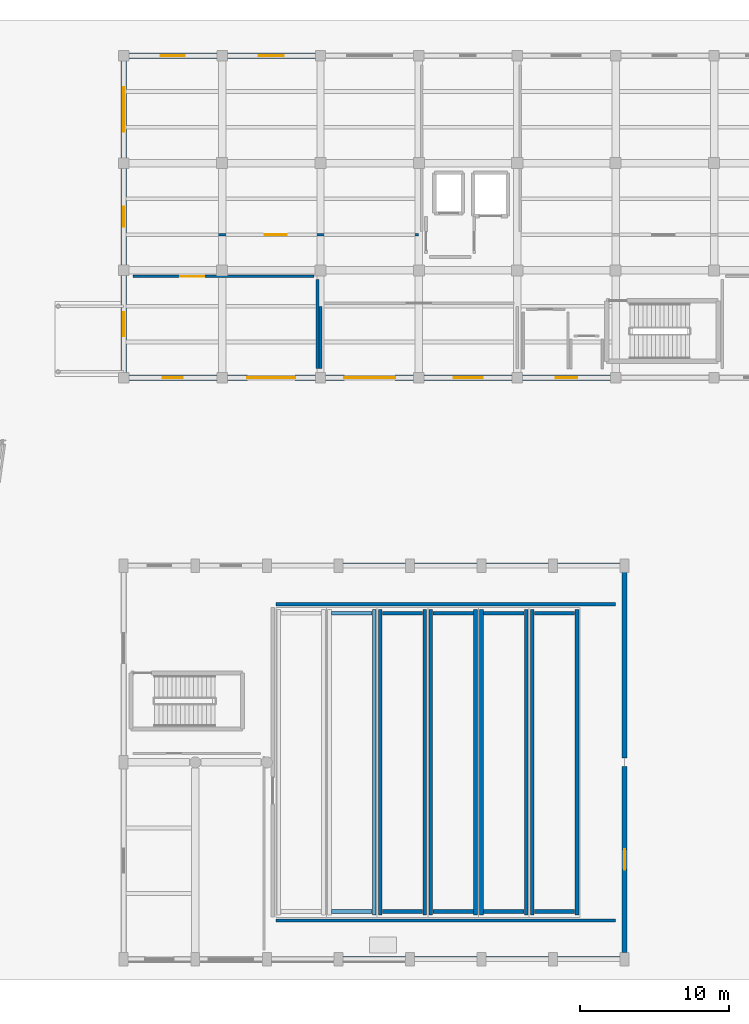
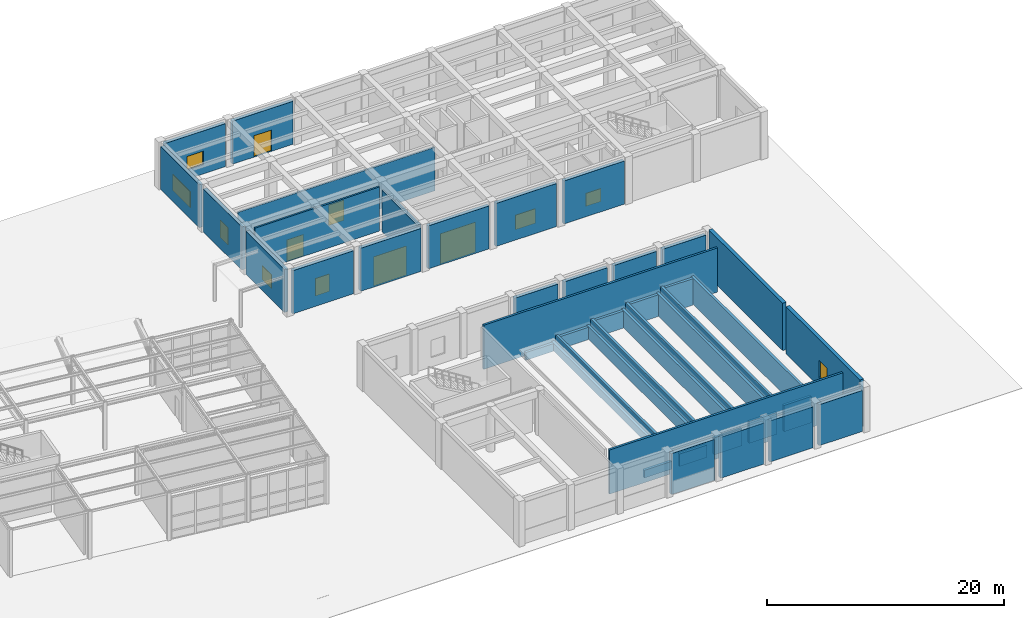
# One storey, part 47 of 57: 45 walls, 8 windows, 5 doors, 13 openings.
"""IFC4 building model written with IfcOpenShell, lengths in metres."""

from ifc_helpers import new_model, si_unit, direction, frame, frame_2d, origin, place, context, subcontext, project, spatial, rectangle, extrude, material, layer, layer_set, type_object, element, fill, save


model = new_model("IFC4")

# Units and contexts
model_context = context("Model", 3, precision=1e-05, world=origin(), true_north=direction((0.0, 1.0)))
body_context = subcontext(model_context, "Body", "Model", "MODEL_VIEW")
ifc_project = project(units=[si_unit("LENGTHUNIT", "METRE"), si_unit("AREAUNIT", "SQUARE_METRE"), si_unit("VOLUMEUNIT", "CUBIC_METRE"), si_unit("PLANEANGLEUNIT", "RADIAN"), si_unit("MASSUNIT", "GRAM", prefix="KILO")], contexts=[model_context])

# Site, building, storey
site_placement = place(None, origin())
site = spatial("IfcSite", under=ifc_project, at=site_placement, CompositionType="ELEMENT")
building_placement = place(site_placement, origin())
building = spatial("IfcBuilding", under=site, at=building_placement, Name="Kharisveld Research Institute", CompositionType="ELEMENT")
storey_placement = place(building_placement, origin())
storey = spatial("IfcBuildingStorey", under=building, at=storey_placement, Name="L00", CompositionType="ELEMENT", Elevation=0.0)

# Walls
ifc_material_1 = material(Name="Acoustic Concrete Blockwork", Category="masonry")
ifc_layer_1 = layer(ifc_material_1, 0.215087890625)
ifc_layer_set_1 = layer_set([ifc_layer_1], Name="WL_AUD_215")
wall_type_1 = type_object("IfcWallType", Name="WL_AUD_215", PredefinedType="SOLIDWALL", material=ifc_layer_set_1)
for number, where, z_axis, x_axis, name in (
    (1, (124.820068359375, 2.800048828125, 0.0), (0.0, 0.0, 1.0), (1.0, 0.0, 0.0), "WL:RM:V5:L00:AUD:S"),
    (2, (147.580078125, 24.0, 0.0), (0.0, 0.0, 1.0), (-1.0, 0.0, 0.0), "WL:RM:V5:L00:AUD:N"),
):
    element("IfcWall", number, at=place(storey_placement, frame(where, z_axis=z_axis, x_axis=x_axis)), inside=storey, type_object=wall_type_1, Name=name, PredefinedType="SOLIDWALL", context=body_context, shape_type="SweptSolid", body=[
        extrude(rectangle(XDim=22.760009765625, YDim=0.215087890625, at=frame_2d((11.3798828125, 0.0))), origin(), (0.0, 0.0, 1.0), 4.550048828125),
    ])

# Wall, opening, window
ifc_material_2 = material(Name="Concrete C35/45", Category="concrete")
ifc_layer_2 = layer(ifc_material_2, 0.340087890625)
ifc_layer_set_2 = layer_set([ifc_layer_2], Name="WL_EXT_340")
wall_type_2 = type_object("IfcWallType", Name="WL_EXT_340", PredefinedType="SOLIDWALL", material=ifc_layer_set_2)
wall_1_placement = place(storey_placement, frame((114.60009765625, 39.544921875, 0.0), z_axis=(0.0, 0.0, 1.0), x_axis=(0.0, 1.0, 0.0)))
wall_1 = element("IfcWall", 3, at=wall_1_placement, inside=storey, type_object=wall_type_2, Name="WL:V2:L00:W0", PredefinedType="SOLIDWALL", context=body_context, shape_type="SweptSolid", body=[
    extrude(rectangle(XDim=6.510009765625, YDim=0.340087890625, at=frame_2d((3.2548828125, 0.0))), origin(), (0.0, 0.0, 1.0), 4.43505859375),
])
opening_1_placement = place(wall_1_placement, frame((2.455078125, 0.0, 0.949951171875)))
opening_1 = element("IfcOpeningElement", 4, at=opening_1_placement, cuts=wall_1, Name="Opening WN-08", PredefinedType="OPENING", context=body_context, shape_type="SweptSolid", body=[
    extrude(rectangle(XDim=1.60009765625, YDim=1.39990234375, at=frame_2d((0.800048828125, 0.699951171875))), frame((0.0, 0.169921875, 0.0), z_axis=(0.0, -1.0, 0.0), x_axis=(1.0, 0.0, 0.0)), (0.0, 0.0, 1.0), 0.340087890625),
])
ifc_material_3 = material(Name="Low-E Double Glazing", Category="glass")
window_type_1 = type_object("IfcWindowType", Name="WN_08", PartitioningType="DOUBLE_PANEL_VERTICAL", PredefinedType="WINDOW", material=ifc_material_3)
window_1_placement = place(opening_1_placement, origin())
window_1 = element("IfcWindow", 5, at=window_1_placement, inside=storey, type_object=window_type_1, Name="WN:V2:L00:W0", OverallHeight=1.39990234375, OverallWidth=1.60009765625, PartitioningType="SINGLE_PANEL", PredefinedType="WINDOW", context=body_context, shape_type="SweptSolid", body=[
    extrude(rectangle(XDim=1.60009765625, YDim=1.39990234375, at=frame_2d((0.800048828125, 0.699951171875))), frame((0.0, 0.030029296875, 0.0), z_axis=(0.0, -1.0, 0.0), x_axis=(1.0, 0.0, 0.0)), (0.0, 0.0, 1.0), 0.06005859375),
])
fill(opening_1, window_1)

wall_2_placement = place(storey_placement, frame((114.60009765625, 46.7451171875, 0.0), z_axis=(0.0, 0.0, 1.0), x_axis=(0.0, 1.0, 0.0)))
wall_2 = element("IfcWall", 6, at=wall_2_placement, inside=storey, type_object=wall_type_2, Name="WL:V2:L00:W1", PredefinedType="SOLIDWALL", context=body_context, shape_type="SweptSolid", body=[
    extrude(rectangle(XDim=6.509765625, YDim=0.340087890625, at=frame_2d((3.2548828125, 0.0))), origin(), (0.0, 0.0, 1.0), 4.43505859375),
])
opening_2_placement = place(wall_2_placement, frame((2.580078125, 0.0, 0.949951171875)))
opening_2 = element("IfcOpeningElement", 7, at=opening_2_placement, cuts=wall_2, Name="Opening WN-09", PredefinedType="OPENING", context=body_context, shape_type="SweptSolid", body=[
    extrude(rectangle(XDim=1.35009765625, YDim=1.800048828125, at=frame_2d((0.675048828125, 0.89990234375))), frame((0.0, 0.169921875, 0.0), z_axis=(0.0, -1.0, 0.0), x_axis=(1.0, 0.0, 0.0)), (0.0, 0.0, 1.0), 0.340087890625),
])
ifc_material_4 = material(Name="Low-E Double Glazing", Category="glass")
window_type_2 = type_object("IfcWindowType", Name="WN_09", PartitioningType="SINGLE_PANEL", PredefinedType="WINDOW", material=ifc_material_4)
window_2_placement = place(opening_2_placement, origin())
window_2 = element("IfcWindow", 8, at=window_2_placement, inside=storey, type_object=window_type_2, Name="WN:V2:L00:W1", OverallHeight=1.800048828125, OverallWidth=1.35009765625, PartitioningType="SINGLE_PANEL", PredefinedType="WINDOW", context=body_context, shape_type="SweptSolid", body=[
    extrude(rectangle(XDim=1.35009765625, YDim=1.800048828125, at=frame_2d((0.675048828125, 0.89990234375))), frame((0.0, 0.030029296875, 0.0), z_axis=(0.0, -1.0, 0.0), x_axis=(1.0, 0.0, 0.0)), (0.0, 0.0, 1.0), 0.06005859375),
])
fill(opening_2, window_2)

wall_3_placement = place(storey_placement, frame((114.60009765625, 53.945068359375, 0.0), z_axis=(0.0, 0.0, 1.0), x_axis=(0.0, 1.0, 0.0)))
wall_3 = element("IfcWall", 9, at=wall_3_placement, inside=storey, type_object=wall_type_2, Name="WL:V2:L00:W2", PredefinedType="SOLIDWALL", context=body_context, shape_type="SweptSolid", body=[
    extrude(rectangle(XDim=6.510009765625, YDim=0.340087890625, at=frame_2d((3.2548828125, 0.0))), origin(), (0.0, 0.0, 1.0), 4.43505859375),
])
opening_3_placement = place(wall_3_placement, frame((1.7548828125, 0.0, 0.949951171875)))
opening_3 = element("IfcOpeningElement", 10, at=opening_3_placement, cuts=wall_3, Name="Opening WN-10", PredefinedType="OPENING", context=body_context, shape_type="SweptSolid", body=[
    extrude(rectangle(XDim=3.0, YDim=1.64990234375, at=frame_2d((1.5, 0.824951171875))), frame((0.0, 0.169921875, 0.0), z_axis=(0.0, -1.0, 0.0), x_axis=(1.0, 0.0, 0.0)), (0.0, 0.0, 1.0), 0.340087890625),
])
ifc_material_5 = material(Name="Low-E Double Glazing", Category="glass")
window_type_3 = type_object("IfcWindowType", Name="WN_10", PartitioningType="TRIPLE_PANEL_VERTICAL", PredefinedType="WINDOW", material=ifc_material_5)
window_3_placement = place(opening_3_placement, origin())
window_3 = element("IfcWindow", 11, at=window_3_placement, inside=storey, type_object=window_type_3, Name="WN:V2:L00:W2", OverallHeight=1.64990234375, OverallWidth=3.0, PartitioningType="SINGLE_PANEL", PredefinedType="WINDOW", context=body_context, shape_type="SweptSolid", body=[
    extrude(rectangle(XDim=3.0, YDim=1.64990234375, at=frame_2d((1.5, 0.824951171875))), frame((0.0, 0.030029296875, 0.0), z_axis=(0.0, -1.0, 0.0), x_axis=(1.0, 0.0, 0.0)), (0.0, 0.0, 1.0), 0.06005859375),
])
fill(opening_3, window_3)

wall_4_placement = place(storey_placement, frame((114.945068359375, 60.800048828125, 0.0), z_axis=(0.0, 0.0, 1.0), x_axis=(1.0, 0.0, 0.0)))
wall_4 = element("IfcWall", 12, at=wall_4_placement, inside=storey, type_object=wall_type_2, Name="WL:V2:L00:N0", PredefinedType="SOLIDWALL", context=body_context, shape_type="SweptSolid", body=[
    extrude(rectangle(XDim=5.909912109375, YDim=0.340087890625, at=frame_2d((2.955078125, 0.0))), origin(), (0.0, 0.0, 1.0), 4.43505859375),
])
opening_4_placement = place(wall_4_placement, frame((2.155029296875, 0.0, 0.949951171875)))
opening_4 = element("IfcOpeningElement", 13, at=opening_4_placement, cuts=wall_4, Name="Opening WN-08", PredefinedType="OPENING", context=body_context, shape_type="SweptSolid", body=[
    extrude(rectangle(XDim=1.60009765625, YDim=1.39990234375, at=frame_2d((0.800048828125, 0.699951171875))), frame((0.0, 0.169921875, 0.0), z_axis=(0.0, -1.0, 0.0), x_axis=(1.0, 0.0, 0.0)), (0.0, 0.0, 1.0), 0.340087890625),
])
window_4_placement = place(opening_4_placement, origin())
window_4 = element("IfcWindow", 14, at=window_4_placement, inside=storey, type_object=window_type_1, Name="WN:V2:L00:N0", OverallHeight=1.39990234375, OverallWidth=1.60009765625, PartitioningType="SINGLE_PANEL", PredefinedType="WINDOW", context=body_context, shape_type="SweptSolid", body=[
    extrude(rectangle(XDim=1.60009765625, YDim=1.39990234375, at=frame_2d((0.800048828125, 0.699951171875))), frame((0.0, 0.030029296875, 0.0), z_axis=(0.0, -1.0, 0.0), x_axis=(1.0, 0.0, 0.0)), (0.0, 0.0, 1.0), 0.06005859375),
])
fill(opening_4, window_4)

# Wall, opening, door
wall_5_placement = place(storey_placement, frame((121.544921875, 60.800048828125, 0.0), z_axis=(0.0, 0.0, 1.0), x_axis=(1.0, 0.0, 0.0)))
wall_5 = element("IfcWall", 15, at=wall_5_placement, inside=storey, type_object=wall_type_2, Name="WL:V2:L00:N1", PredefinedType="SOLIDWALL", context=body_context, shape_type="SweptSolid", body=[
    extrude(rectangle(XDim=5.91015625, YDim=0.340087890625, at=frame_2d((2.955078125, 0.0))), origin(), (0.0, 0.0, 1.0), 4.43505859375),
])
opening_5_placement = place(wall_5_placement, frame((2.10498046875, 0.0, 0.0)))
opening_5 = element("IfcOpeningElement", 16, at=opening_5_placement, cuts=wall_5, Name="Opening DE-009", PredefinedType="OPENING", context=body_context, shape_type="SweptSolid", body=[
    extrude(rectangle(XDim=1.699951171875, YDim=2.199951171875, at=frame_2d((0.85009765625, 1.10009765625))), frame((0.0, 0.169921875, 0.0), z_axis=(0.0, -1.0, 0.0), x_axis=(1.0, 0.0, 0.0)), (0.0, 0.0, 1.0), 0.340087890625),
])
ifc_material_6 = material(Name="Thermally Broken Powder-Coated Aluminium", Category="aluminium")
door_type_1 = type_object("IfcDoorType", Name="DR_EXT_170", OperationType="DOUBLE_DOOR_SINGLE_SWING", PredefinedType="DOOR", material=ifc_material_6)
door_1_placement = place(opening_5_placement, origin())
door_1 = element("IfcDoor", 17, at=door_1_placement, inside=storey, type_object=door_type_1, Name="DR:V2:L00:EXIT_N1", OperationType="DOUBLE_DOOR_SINGLE_SWING", OverallHeight=2.199951171875, OverallWidth=1.699951171875, PredefinedType="DOOR", context=body_context, shape_type="SweptSolid", body=[
    extrude(rectangle(XDim=1.699951171875, YDim=2.199951171875, at=frame_2d((0.85009765625, 1.10009765625))), frame((0.0, 0.02490234375, 0.0), z_axis=(0.0, -1.0, 0.0), x_axis=(1.0, 0.0, 0.0)), (0.0, 0.0, 1.0), 0.050048828125),
])
fill(opening_5, door_1)

# Wall, opening, window
wall_6_placement = place(storey_placement, frame((147.2548828125, 39.199951171875, 0.0), z_axis=(0.0, 0.0, 1.0), x_axis=(-1.0, 0.0, 0.0)))
wall_6 = element("IfcWall", 18, at=wall_6_placement, inside=storey, type_object=wall_type_2, Name="WL:V2:L00:S5", PredefinedType="SOLIDWALL", context=body_context, shape_type="SweptSolid", body=[
    extrude(rectangle(XDim=5.909912109375, YDim=0.340087890625, at=frame_2d((2.955078125, 0.0))), origin(), (0.0, 0.0, 1.0), 4.43505859375),
])
opening_6_placement = place(wall_6_placement, frame((2.22998046875, 0.0, 0.949951171875)))
opening_6 = element("IfcOpeningElement", 19, at=opening_6_placement, cuts=wall_6, Name="Opening WN-13", PredefinedType="OPENING", context=body_context, shape_type="SweptSolid", body=[
    extrude(rectangle(XDim=1.449951171875, YDim=1.35009765625, at=frame_2d((0.72509765625, 0.675048828125))), frame((0.0, 0.169921875, 0.0), z_axis=(0.0, -1.0, 0.0), x_axis=(1.0, 0.0, 0.0)), (0.0, 0.0, 1.0), 0.340087890625),
])
ifc_material_7 = material(Name="Low-E Double Glazing", Category="glass")
window_type_4 = type_object("IfcWindowType", Name="WN_13", PartitioningType="DOUBLE_PANEL_VERTICAL", PredefinedType="WINDOW", material=ifc_material_7)
window_5_placement = place(opening_6_placement, origin())
window_5 = element("IfcWindow", 20, at=window_5_placement, inside=storey, type_object=window_type_4, Name="WN:V2:L00:S5", OverallHeight=1.35009765625, OverallWidth=1.449951171875, PartitioningType="SINGLE_PANEL", PredefinedType="WINDOW", context=body_context, shape_type="SweptSolid", body=[
    extrude(rectangle(XDim=1.449951171875, YDim=1.35009765625, at=frame_2d((0.72509765625, 0.675048828125))), frame((0.0, 0.030029296875, 0.0), z_axis=(0.0, -1.0, 0.0), x_axis=(1.0, 0.0, 0.0)), (0.0, 0.0, 1.0), 0.06005859375),
])
fill(opening_6, window_5)

wall_7_placement = place(storey_placement, frame((140.655029296875, 39.199951171875, 0.0), z_axis=(0.0, 0.0, 1.0), x_axis=(-1.0, 0.0, 0.0)))
wall_7 = element("IfcWall", 21, at=wall_7_placement, inside=storey, type_object=wall_type_2, Name="WL:V2:L00:S4", PredefinedType="SOLIDWALL", context=body_context, shape_type="SweptSolid", body=[
    extrude(rectangle(XDim=5.909912109375, YDim=0.340087890625, at=frame_2d((2.955078125, 0.0))), origin(), (0.0, 0.0, 1.0), 4.43505859375),
])
opening_7_placement = place(wall_7_placement, frame((1.97998046875, 0.0, 0.949951171875)))
opening_7 = element("IfcOpeningElement", 22, at=opening_7_placement, cuts=wall_7, Name="Opening WN-12", PredefinedType="OPENING", context=body_context, shape_type="SweptSolid", body=[
    extrude(rectangle(XDim=1.949951171875, YDim=1.5, at=frame_2d((0.97509765625, 0.75))), frame((0.0, 0.169921875, 0.0), z_axis=(0.0, -1.0, 0.0), x_axis=(1.0, 0.0, 0.0)), (0.0, 0.0, 1.0), 0.340087890625),
])
ifc_material_8 = material(Name="Low-E Double Glazing", Category="glass")
window_type_5 = type_object("IfcWindowType", Name="WN_12", PartitioningType="DOUBLE_PANEL_VERTICAL", PredefinedType="WINDOW", material=ifc_material_8)
window_6_placement = place(opening_7_placement, origin())
window_6 = element("IfcWindow", 23, at=window_6_placement, inside=storey, type_object=window_type_5, Name="WN:V2:L00:S4", OverallHeight=1.5, OverallWidth=1.949951171875, PartitioningType="SINGLE_PANEL", PredefinedType="WINDOW", context=body_context, shape_type="SweptSolid", body=[
    extrude(rectangle(XDim=1.949951171875, YDim=1.5, at=frame_2d((0.97509765625, 0.75))), frame((0.0, 0.030029296875, 0.0), z_axis=(0.0, -1.0, 0.0), x_axis=(1.0, 0.0, 0.0)), (0.0, 0.0, 1.0), 0.06005859375),
])
fill(opening_7, window_6)

# Wall, opening, door
wall_8_placement = place(storey_placement, frame((134.054931640625, 39.199951171875, 0.0), z_axis=(0.0, 0.0, 1.0), x_axis=(-1.0, 0.0, 0.0)))
wall_8 = element("IfcWall", 24, at=wall_8_placement, inside=storey, type_object=wall_type_2, Name="WL:V2:L00:S3", PredefinedType="SOLIDWALL", context=body_context, shape_type="SweptSolid", body=[
    extrude(rectangle(XDim=5.909912109375, YDim=0.340087890625, at=frame_2d((2.955078125, 0.0))), origin(), (0.0, 0.0, 1.0), 4.43505859375),
])
opening_8_placement = place(wall_8_placement, frame((1.2548828125, 0.0, 0.0)))
opening_8 = element("IfcOpeningElement", 25, at=opening_8_placement, cuts=wall_8, Name="Opening LDK-01", PredefinedType="OPENING", context=body_context, shape_type="SweptSolid", body=[
    extrude(rectangle(XDim=3.39990234375, YDim=3.10009765625, at=frame_2d((1.699951171875, 1.550048828125))), frame((0.0, 0.169921875, 0.0), z_axis=(0.0, -1.0, 0.0), x_axis=(1.0, 0.0, 0.0)), (0.0, 0.0, 1.0), 0.340087890625),
])
ifc_material_9 = material(Name="Thermally Broken Powder-Coated Aluminium", Category="aluminium")
door_type_2 = type_object("IfcDoorType", Name="GT_SHU_340", OperationType="ROLLINGUP", PredefinedType="GATE", material=ifc_material_9)
door_2_placement = place(opening_8_placement, origin())
door_2 = element("IfcDoor", 26, at=door_2_placement, inside=storey, type_object=door_type_2, Name="LDK-01 Roller Shutter Gate", OperationType="ROLLINGUP", OverallHeight=3.10009765625, OverallWidth=3.39990234375, PredefinedType="GATE", context=body_context, shape_type="SweptSolid", body=[
    extrude(rectangle(XDim=3.39990234375, YDim=3.10009765625, at=frame_2d((1.699951171875, 1.550048828125))), frame((0.0, 0.02490234375, 0.0), z_axis=(0.0, -1.0, 0.0), x_axis=(1.0, 0.0, 0.0)), (0.0, 0.0, 1.0), 0.050048828125),
])
fill(opening_8, door_2)

wall_9_placement = place(storey_placement, frame((127.455078125, 39.199951171875, 0.0), z_axis=(0.0, 0.0, 1.0), x_axis=(-1.0, 0.0, 0.0)))
wall_9 = element("IfcWall", 27, at=wall_9_placement, inside=storey, type_object=wall_type_2, Name="WL:V2:L00:S2", PredefinedType="SOLIDWALL", context=body_context, shape_type="SweptSolid", body=[
    extrude(rectangle(XDim=5.91015625, YDim=0.340087890625, at=frame_2d((2.955078125, 0.0))), origin(), (0.0, 0.0, 1.0), 4.43505859375),
])
opening_9_placement = place(wall_9_placement, frame((1.35498046875, 0.0, 0.0)))
opening_9 = element("IfcOpeningElement", 28, at=opening_9_placement, cuts=wall_9, Name="Opening LDK-02", PredefinedType="OPENING", context=body_context, shape_type="SweptSolid", body=[
    extrude(rectangle(XDim=3.199951171875, YDim=3.0, at=frame_2d((1.60009765625, 1.5))), frame((0.0, 0.169921875, 0.0), z_axis=(0.0, -1.0, 0.0), x_axis=(1.0, 0.0, 0.0)), (0.0, 0.0, 1.0), 0.340087890625),
])
ifc_material_10 = material(Name="Thermally Broken Powder-Coated Aluminium", Category="aluminium")
door_type_3 = type_object("IfcDoorType", Name="GT_SHU_320", OperationType="ROLLINGUP", PredefinedType="GATE", material=ifc_material_10)
door_3_placement = place(opening_9_placement, origin())
door_3 = element("IfcDoor", 29, at=door_3_placement, inside=storey, type_object=door_type_3, Name="LDK-02 Roller Shutter Gate", OperationType="ROLLINGUP", OverallHeight=3.0, OverallWidth=3.199951171875, PredefinedType="GATE", context=body_context, shape_type="SweptSolid", body=[
    extrude(rectangle(XDim=3.199951171875, YDim=3.0, at=frame_2d((1.60009765625, 1.5))), frame((0.0, 0.02490234375, 0.0), z_axis=(0.0, -1.0, 0.0), x_axis=(1.0, 0.0, 0.0)), (0.0, 0.0, 1.0), 0.050048828125),
])
fill(opening_9, door_3)

# Wall, opening, window
wall_10_placement = place(storey_placement, frame((120.85498046875, 39.199951171875, 0.0), z_axis=(0.0, 0.0, 1.0), x_axis=(-1.0, 0.0, 0.0)))
wall_10 = element("IfcWall", 30, at=wall_10_placement, inside=storey, type_object=wall_type_2, Name="WL:V2:L00:S1", PredefinedType="SOLIDWALL", context=body_context, shape_type="SweptSolid", body=[
    extrude(rectangle(XDim=5.909912109375, YDim=0.340087890625, at=frame_2d((2.955078125, 0.0))), origin(), (0.0, 0.0, 1.0), 4.43505859375),
])
opening_10_placement = place(wall_10_placement, frame((2.280029296875, 0.0, 0.949951171875)))
opening_10 = element("IfcOpeningElement", 31, at=opening_10_placement, cuts=wall_10, Name="Opening WN-09", PredefinedType="OPENING", context=body_context, shape_type="SweptSolid", body=[
    extrude(rectangle(XDim=1.35009765625, YDim=1.800048828125, at=frame_2d((0.675048828125, 0.89990234375))), frame((0.0, 0.169921875, 0.0), z_axis=(0.0, -1.0, 0.0), x_axis=(1.0, 0.0, 0.0)), (0.0, 0.0, 1.0), 0.340087890625),
])
window_7_placement = place(opening_10_placement, origin())
window_7 = element("IfcWindow", 32, at=window_7_placement, inside=storey, type_object=window_type_2, Name="WN:V2:L00:S1", OverallHeight=1.800048828125, OverallWidth=1.35009765625, PartitioningType="SINGLE_PANEL", PredefinedType="WINDOW", context=body_context, shape_type="SweptSolid", body=[
    extrude(rectangle(XDim=1.35009765625, YDim=1.800048828125, at=frame_2d((0.675048828125, 0.89990234375))), frame((0.0, 0.030029296875, 0.0), z_axis=(0.0, -1.0, 0.0), x_axis=(1.0, 0.0, 0.0)), (0.0, 0.0, 1.0), 0.06005859375),
])
fill(opening_10, window_7)

# Walls
for number, where, z_axis, x_axis, name in (
    (33, (129.294921875, 26.60009765625, 0.0), (0.0, 0.0, 1.0), (1.0, 0.0, 0.0), "WL:V5:L00:N3"),
    (34, (134.094970703125, 26.60009765625, 0.0), (0.0, 0.0, 1.0), (1.0, 0.0, 0.0), "WL:V5:L00:N4"),
    (35, (138.89501953125, 26.60009765625, 0.0), (0.0, 0.0, 1.0), (1.0, 0.0, 0.0), "WL:V5:L00:N5"),
    (36, (143.695068359375, 26.60009765625, 0.0), (0.0, 0.0, 1.0), (1.0, 0.0, 0.0), "WL:V5:L00:N6"),
):
    element("IfcWall", number, at=place(storey_placement, frame(where, z_axis=z_axis, x_axis=x_axis)), inside=storey, type_object=wall_type_2, Name=name, PredefinedType="SOLIDWALL", context=body_context, shape_type="SweptSolid", body=[
        extrude(rectangle(XDim=4.2099609375, YDim=0.340087890625, at=frame_2d((2.10498046875, 0.0))), origin(), (0.0, 0.0, 1.0), 4.215087890625),
    ])
wall_11_placement = place(storey_placement, frame((148.199951171875, 26.155029296875, 0.0), z_axis=(0.0, 0.0, 1.0), x_axis=(0.0, -1.0, 0.0)))
element("IfcWall", 37, at=wall_11_placement, inside=storey, type_object=wall_type_2, Name="WL:V5:L00:E2", PredefinedType="SOLIDWALL", context=body_context, shape_type="SweptSolid", body=[
    extrude(rectangle(XDim=12.47509765625, YDim=0.340087890625, at=frame_2d((6.237548828125, 0.0))), origin(), (0.0, 0.0, 1.0), 4.8798828125),
])

# Wall, opening, window
wall_12_placement = place(storey_placement, frame((148.199951171875, 13.1201171875, 0.0), z_axis=(0.0, 0.0, 1.0), x_axis=(0.0, -1.0, 0.0)))
wall_12 = element("IfcWall", 38, at=wall_12_placement, inside=storey, type_object=wall_type_2, Name="WL:V5:L00:E1", PredefinedType="SOLIDWALL", context=body_context, shape_type="SweptSolid", body=[
    extrude(rectangle(XDim=12.47509765625, YDim=0.340087890625, at=frame_2d((6.237548828125, 0.0))), origin(), (0.0, 0.0, 1.0), 4.8798828125),
])
opening_11_placement = place(wall_12_placement, frame((5.5625, 0.0, 0.949951171875)))
opening_11 = element("IfcOpeningElement", 39, at=opening_11_placement, cuts=wall_12, Name="Opening WN-09", PredefinedType="OPENING", context=body_context, shape_type="SweptSolid", body=[
    extrude(rectangle(XDim=1.35009765625, YDim=1.800048828125, at=frame_2d((0.675048828125, 0.89990234375))), frame((0.0, 0.169921875, 0.0), z_axis=(0.0, -1.0, 0.0), x_axis=(1.0, 0.0, 0.0)), (0.0, 0.0, 1.0), 0.340087890625),
])
window_8_placement = place(opening_11_placement, origin())
window_8 = element("IfcWindow", 40, at=window_8_placement, inside=storey, type_object=window_type_2, Name="WN:V5:L00:E1", OverallHeight=1.800048828125, OverallWidth=1.35009765625, PartitioningType="SINGLE_PANEL", PredefinedType="WINDOW", context=body_context, shape_type="SweptSolid", body=[
    extrude(rectangle(XDim=1.35009765625, YDim=1.800048828125, at=frame_2d((0.675048828125, 0.89990234375))), frame((0.0, 0.030029296875, 0.0), z_axis=(0.0, -1.0, 0.0), x_axis=(1.0, 0.0, 0.0)), (0.0, 0.0, 1.0), 0.06005859375),
])
fill(opening_11, window_8)

# Walls
for number, where, z_axis, x_axis, name in (
    (41, (147.905029296875, 0.199951171875, 0.0), (0.0, 0.0, 1.0), (-1.0, 0.0, 0.0), "WL:V5:L00:S7"),
    (42, (143.10498046875, 0.199951171875, 0.0), (0.0, 0.0, 1.0), (-1.0, 0.0, 0.0), "WL:V5:L00:S6"),
    (43, (138.304931640625, 0.199951171875, 0.0), (0.0, 0.0, 1.0), (-1.0, 0.0, 0.0), "WL:V5:L00:S5"),
    (44, (133.5048828125, 0.199951171875, 0.0), (0.0, 0.0, 1.0), (-1.0, 0.0, 0.0), "WL:V5:L00:S4"),
):
    element("IfcWall", number, at=place(storey_placement, frame(where, z_axis=z_axis, x_axis=x_axis)), inside=storey, type_object=wall_type_2, Name=name, PredefinedType="SOLIDWALL", context=body_context, shape_type="SweptSolid", body=[
        extrude(rectangle(XDim=4.2099609375, YDim=0.340087890625, at=frame_2d((2.10498046875, 0.0))), origin(), (0.0, 0.0, 1.0), 4.215087890625),
    ])

# Wall, opening, door
ifc_material_11 = material(Name="Acoustic Drywall Partition", Category="mineral")
ifc_layer_3 = layer(ifc_material_11, 0.1650390625)
ifc_layer_set_3 = layer_set([ifc_layer_3], Name="WL_LAB_165")
wall_type_3 = type_object("IfcWallType", Name="WL_LAB_165", PredefinedType="PARTITIONING", material=ifc_layer_set_3)
wall_13_placement = place(storey_placement, frame((115.219970703125, 48.800048828125, 0.0), z_axis=(0.0, 0.0, 1.0), x_axis=(1.0, 0.0, 0.0)))
wall_13 = element("IfcWall", 45, at=wall_13_placement, inside=storey, type_object=wall_type_3, Name="WL:RM:V2:L00:WL0A:S", PredefinedType="PARTITIONING", context=body_context, shape_type="SweptSolid", body=[
    extrude(rectangle(XDim=19.159912109375, YDim=0.1650390625, at=frame_2d((9.580078125, 0.0))), origin(), (0.0, 0.0, 1.0), 4.485107421875),
])
opening_12_placement = place(wall_13_placement, frame((8.840087890625, 0.0, 0.0)))
opening_12 = element("IfcOpeningElement", 46, at=opening_12_placement, cuts=wall_13, Name="Opening DI-188", PredefinedType="OPENING", context=body_context, shape_type="SweptSolid", body=[
    extrude(rectangle(XDim=1.47998046875, YDim=2.10009765625, at=frame_2d((0.739990234375, 1.050048828125))), frame((0.0, 0.08251953125, 0.0), z_axis=(0.0, -1.0, 0.0), x_axis=(1.0, 0.0, 0.0)), (0.0, 0.0, 1.0), 0.1650390625),
])
ifc_material_12 = material(Name="Flush Painted Hardwood and Anodised Aluminium", Category="wood")
door_type_4 = type_object("IfcDoorType", Name="DR_VAR_20", OperationType="NOTDEFINED", PredefinedType="DOOR", material=ifc_material_12)
door_4_placement = place(opening_12_placement, origin())
door_4 = element("IfcDoor", 47, at=door_4_placement, inside=storey, type_object=door_type_4, Name="DR:RM:V2:L00:WL0A:S", OperationType="SINGLE_SWING_RIGHT", OverallHeight=2.10009765625, OverallWidth=1.47998046875, PredefinedType="DOOR", context=body_context, shape_type="SweptSolid", body=[
    extrude(rectangle(XDim=1.47998046875, YDim=2.10009765625, at=frame_2d((0.739990234375, 1.050048828125))), frame((0.0, 0.02490234375, 0.0), z_axis=(0.0, -1.0, 0.0), x_axis=(1.0, 0.0, 0.0)), (0.0, 0.0, 1.0), 0.050048828125),
])
fill(opening_12, door_4)

# Wall
ifc_material_13 = material(Name="Masonry Blockwork", Category="masonry")
ifc_layer_4 = layer(ifc_material_13, 0.175048828125)
ifc_layer_set_4 = layer_set([ifc_layer_4], Name="WL_STR_175")
wall_type_4 = type_object("IfcWallType", Name="WL_STR_175", PredefinedType="SOLIDWALL", material=ifc_layer_set_4)
wall_14_placement = place(storey_placement, frame((127.60009765625, 39.820068359375, 0.0), z_axis=(0.0, 0.0, 1.0), x_axis=(0.0, 1.0, 0.0)))
element("IfcWall", 48, at=wall_14_placement, inside=storey, type_object=wall_type_4, Name="WL:RM:V2:L00:CHM:E", PredefinedType="SOLIDWALL", context=body_context, shape_type="SweptSolid", body=[
    extrude(rectangle(XDim=5.9599609375, YDim=0.175048828125, at=frame_2d((2.97998046875, 0.0))), origin(), (0.0, 0.0, 1.0), 4.235107421875),
])

# Wall, opening, door
wall_15_placement = place(storey_placement, frame((127.3798828125, 46.0, 0.0), z_axis=(0.0, 0.0, 1.0), x_axis=(-1.0, 0.0, 0.0)))
wall_15 = element("IfcWall", 49, at=wall_15_placement, inside=storey, type_object=wall_type_4, Name="WL:RM:V2:L00:CHM:N", PredefinedType="SOLIDWALL", context=body_context, shape_type="SweptSolid", body=[
    extrude(rectangle(XDim=12.159912109375, YDim=0.175048828125, at=frame_2d((6.080078125, 0.0))), origin(), (0.0, 0.0, 1.0), 4.550048828125),
])
opening_13_placement = place(wall_15_placement, frame((7.364013671875, 0.0, 0.0)))
opening_13 = element("IfcOpeningElement", 50, at=opening_13_placement, cuts=wall_15, Name="Opening DI-190", PredefinedType="OPENING", context=body_context, shape_type="SweptSolid", body=[
    extrude(rectangle(XDim=1.639892578125, YDim=2.199951171875, at=frame_2d((0.81982421875, 1.10009765625))), frame((0.0, 0.08740234375, 0.0), z_axis=(0.0, -1.0, 0.0), x_axis=(1.0, 0.0, 0.0)), (0.0, 0.0, 1.0), 0.175048828125),
])
ifc_material_14 = material(Name="Flush Painted Hardwood and Anodised Aluminium", Category="wood")
door_type_5 = type_object("IfcDoorType", Name="DR_FD60_164", OperationType="DOUBLE_DOOR_SINGLE_SWING", PredefinedType="DOOR", material=ifc_material_14)
door_5_placement = place(opening_13_placement, origin())
door_5 = element("IfcDoor", 51, at=door_5_placement, inside=storey, type_object=door_type_5, Name="DR:RM:V2:L00:CHM:N", OperationType="DOUBLE_DOOR_SINGLE_SWING", OverallHeight=2.199951171875, OverallWidth=1.639892578125, PredefinedType="DOOR", context=body_context, shape_type="SweptSolid", body=[
    extrude(rectangle(XDim=1.639892578125, YDim=2.199951171875, at=frame_2d((0.81982421875, 1.10009765625))), frame((0.0, 0.02490234375, 0.0), z_axis=(0.0, -1.0, 0.0), x_axis=(1.0, 0.0, 0.0)), (0.0, 0.0, 1.0), 0.050048828125),
])
fill(opening_13, door_5)

# Walls
wall_16_placement = place(storey_placement, frame((127.800048828125, 43.97998046875, 0.0), z_axis=(0.0, 0.0, 1.0), x_axis=(0.0, -1.0, 0.0)))
element("IfcWall", 52, at=wall_16_placement, inside=storey, type_object=wall_type_4, Name="WL:RM:V2:L00:DCK:W", PredefinedType="SOLIDWALL", context=body_context, shape_type="SweptSolid", body=[
    extrude(rectangle(XDim=4.159912109375, YDim=0.175048828125, at=frame_2d((2.080078125, 0.0))), origin(), (0.0, 0.0, 1.0), 4.235107421875),
])
ifc_material_15 = material(Name="Concrete C35/45", Category="concrete")
ifc_layer_5 = layer(ifc_material_15, 0.25)
ifc_layer_set_5 = layer_set([ifc_layer_5], Name="WL_TIER_250")
wall_type_5 = type_object("IfcWallType", Name="WL_TIER_250", PredefinedType="SHEAR", material=ifc_layer_set_5)
wall_17_placement = place(storey_placement, frame((131.39990234375, 3.14990234375, 0.0), z_axis=(0.0, 0.0, 1.0), x_axis=(0.0, 1.0, 0.0)))
element("IfcWall", 53, at=wall_17_placement, inside=storey, type_object=wall_type_5, Name="WL:V5:L00:TIERRAKER_2_B", PredefinedType="SHEAR", context=body_context, shape_type="SweptSolid", body=[
    extrude(rectangle(XDim=20.5, YDim=0.25, at=frame_2d((10.25, 0.0))), origin(), (0.0, 0.0, 1.0), 0.794921875),
])
for number, where, z_axis, x_axis, name in (
    (54, (128.550048828125, 3.39990234375, 0.0), (0.0, 0.0, 1.0), (1.0, 0.0, 0.0), "WL:V5:L00:TIERCHEEK_2_S"),
    (55, (128.550048828125, 23.39990234375, 0.0), (0.0, 0.0, 1.0), (1.0, 0.0, 0.0), "WL:V5:L00:TIERCHEEK_2_N"),
):
    element("IfcWall", number, at=place(storey_placement, frame(where, z_axis=z_axis, x_axis=x_axis)), inside=storey, type_object=wall_type_5, Name=name, PredefinedType="SHEAR", context=body_context, shape_type="SweptSolid", body=[
        extrude(rectangle(XDim=2.699951171875, YDim=0.25, at=frame_2d((1.35009765625, 0.0))), origin(), (0.0, 0.0, 1.0), 0.794921875),
    ])
for number, where, z_axis, x_axis, name in (
    (56, (131.800048828125, 3.14990234375, 0.0), (0.0, 0.0, 1.0), (0.0, 1.0, 0.0), "WL:V5:L00:TIERRAKER_3_F"),
    (57, (134.800048828125, 3.14990234375, 0.0), (0.0, 0.0, 1.0), (0.0, 1.0, 0.0), "WL:V5:L00:TIERRAKER_3_B"),
):
    element("IfcWall", number, at=place(storey_placement, frame(where, z_axis=z_axis, x_axis=x_axis)), inside=storey, type_object=wall_type_5, Name=name, PredefinedType="SHEAR", context=body_context, shape_type="SweptSolid", body=[
        extrude(rectangle(XDim=20.5, YDim=0.25, at=frame_2d((10.25, 0.0))), origin(), (0.0, 0.0, 1.0), 1.27490234375),
    ])
for number, where, z_axis, x_axis, name in (
    (58, (131.949951171875, 3.39990234375, 0.0), (0.0, 0.0, 1.0), (1.0, 0.0, 0.0), "WL:V5:L00:TIERCHEEK_3_S"),
    (59, (131.949951171875, 23.39990234375, 0.0), (0.0, 0.0, 1.0), (1.0, 0.0, 0.0), "WL:V5:L00:TIERCHEEK_3_N"),
):
    element("IfcWall", number, at=place(storey_placement, frame(where, z_axis=z_axis, x_axis=x_axis)), inside=storey, type_object=wall_type_5, Name=name, PredefinedType="SHEAR", context=body_context, shape_type="SweptSolid", body=[
        extrude(rectangle(XDim=2.699951171875, YDim=0.25, at=frame_2d((1.35009765625, 0.0))), origin(), (0.0, 0.0, 1.0), 1.27490234375),
    ])
for number, where, z_axis, x_axis, name in (
    (60, (135.199951171875, 3.14990234375, 0.0), (0.0, 0.0, 1.0), (0.0, 1.0, 0.0), "WL:V5:L00:TIERRAKER_4_F"),
    (61, (138.199951171875, 3.14990234375, 0.0), (0.0, 0.0, 1.0), (0.0, 1.0, 0.0), "WL:V5:L00:TIERRAKER_4_B"),
):
    element("IfcWall", number, at=place(storey_placement, frame(where, z_axis=z_axis, x_axis=x_axis)), inside=storey, type_object=wall_type_5, Name=name, PredefinedType="SHEAR", context=body_context, shape_type="SweptSolid", body=[
        extrude(rectangle(XDim=20.5, YDim=0.25, at=frame_2d((10.25, 0.0))), origin(), (0.0, 0.0, 1.0), 1.7548828125),
    ])
for number, where, z_axis, x_axis, name in (
    (62, (135.35009765625, 3.39990234375, 0.0), (0.0, 0.0, 1.0), (1.0, 0.0, 0.0), "WL:V5:L00:TIERCHEEK_4_S"),
    (63, (135.35009765625, 23.39990234375, 0.0), (0.0, 0.0, 1.0), (1.0, 0.0, 0.0), "WL:V5:L00:TIERCHEEK_4_N"),
):
    element("IfcWall", number, at=place(storey_placement, frame(where, z_axis=z_axis, x_axis=x_axis)), inside=storey, type_object=wall_type_5, Name=name, PredefinedType="SHEAR", context=body_context, shape_type="SweptSolid", body=[
        extrude(rectangle(XDim=2.699951171875, YDim=0.25, at=frame_2d((1.35009765625, 0.0))), origin(), (0.0, 0.0, 1.0), 1.7548828125),
    ])
for number, where, z_axis, x_axis, name in (
    (64, (138.60009765625, 3.14990234375, 0.0), (0.0, 0.0, 1.0), (0.0, 1.0, 0.0), "WL:V5:L00:TIERRAKER_5_F"),
    (65, (141.60009765625, 3.14990234375, 0.0), (0.0, 0.0, 1.0), (0.0, 1.0, 0.0), "WL:V5:L00:TIERRAKER_5_B"),
):
    element("IfcWall", number, at=place(storey_placement, frame(where, z_axis=z_axis, x_axis=x_axis)), inside=storey, type_object=wall_type_5, Name=name, PredefinedType="SHEAR", context=body_context, shape_type="SweptSolid", body=[
        extrude(rectangle(XDim=20.5, YDim=0.25, at=frame_2d((10.25, 0.0))), origin(), (0.0, 0.0, 1.0), 2.235107421875),
    ])
for number, where, z_axis, x_axis, name in (
    (66, (138.75, 3.39990234375, 0.0), (0.0, 0.0, 1.0), (1.0, 0.0, 0.0), "WL:V5:L00:TIERCHEEK_5_S"),
    (67, (138.75, 23.39990234375, 0.0), (0.0, 0.0, 1.0), (1.0, 0.0, 0.0), "WL:V5:L00:TIERCHEEK_5_N"),
):
    element("IfcWall", number, at=place(storey_placement, frame(where, z_axis=z_axis, x_axis=x_axis)), inside=storey, type_object=wall_type_5, Name=name, PredefinedType="SHEAR", context=body_context, shape_type="SweptSolid", body=[
        extrude(rectangle(XDim=2.699951171875, YDim=0.25, at=frame_2d((1.35009765625, 0.0))), origin(), (0.0, 0.0, 1.0), 2.235107421875),
    ])
for number, where, z_axis, x_axis, name in (
    (68, (142.0, 3.14990234375, 0.0), (0.0, 0.0, 1.0), (0.0, 1.0, 0.0), "WL:V5:L00:TIERRAKER_6_F"),
    (69, (145.0, 3.14990234375, 0.0), (0.0, 0.0, 1.0), (0.0, 1.0, 0.0), "WL:V5:L00:TIERRAKER_6_B"),
):
    element("IfcWall", number, at=place(storey_placement, frame(where, z_axis=z_axis, x_axis=x_axis)), inside=storey, type_object=wall_type_5, Name=name, PredefinedType="SHEAR", context=body_context, shape_type="SweptSolid", body=[
        extrude(rectangle(XDim=20.5, YDim=0.25, at=frame_2d((10.25, 0.0))), origin(), (0.0, 0.0, 1.0), 2.715087890625),
    ])
for number, where, z_axis, x_axis, name in (
    (70, (142.14990234375, 3.39990234375, 0.0), (0.0, 0.0, 1.0), (1.0, 0.0, 0.0), "WL:V5:L00:TIERCHEEK_6_S"),
    (71, (142.14990234375, 23.39990234375, 0.0), (0.0, 0.0, 1.0), (1.0, 0.0, 0.0), "WL:V5:L00:TIERCHEEK_6_N"),
):
    element("IfcWall", number, at=place(storey_placement, frame(where, z_axis=z_axis, x_axis=x_axis)), inside=storey, type_object=wall_type_5, Name=name, PredefinedType="SHEAR", context=body_context, shape_type="SweptSolid", body=[
        extrude(rectangle(XDim=2.7001953125, YDim=0.25, at=frame_2d((1.35009765625, 0.0))), origin(), (0.0, 0.0, 1.0), 2.715087890625),
    ])

save(model, "model.ifc")
